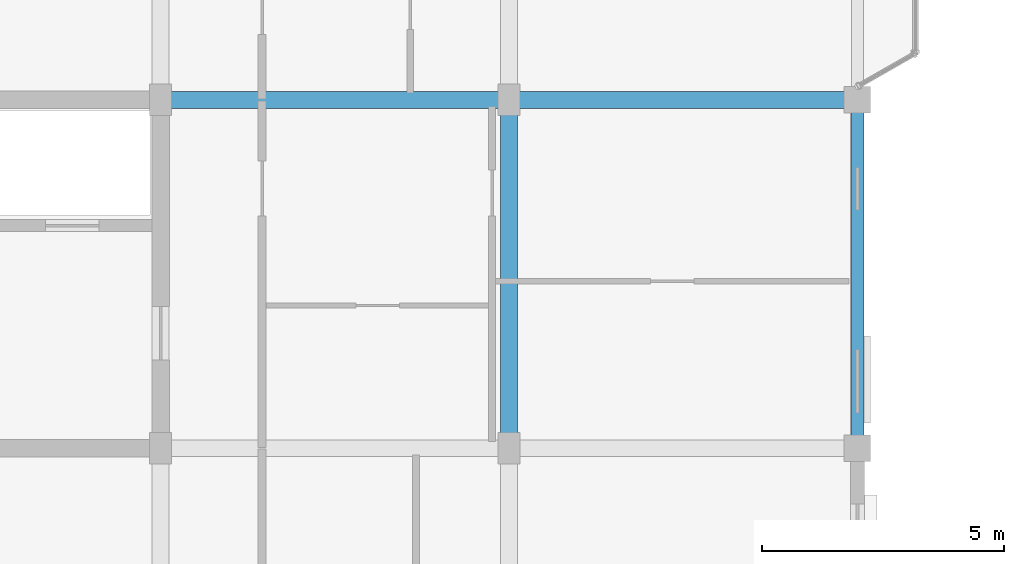
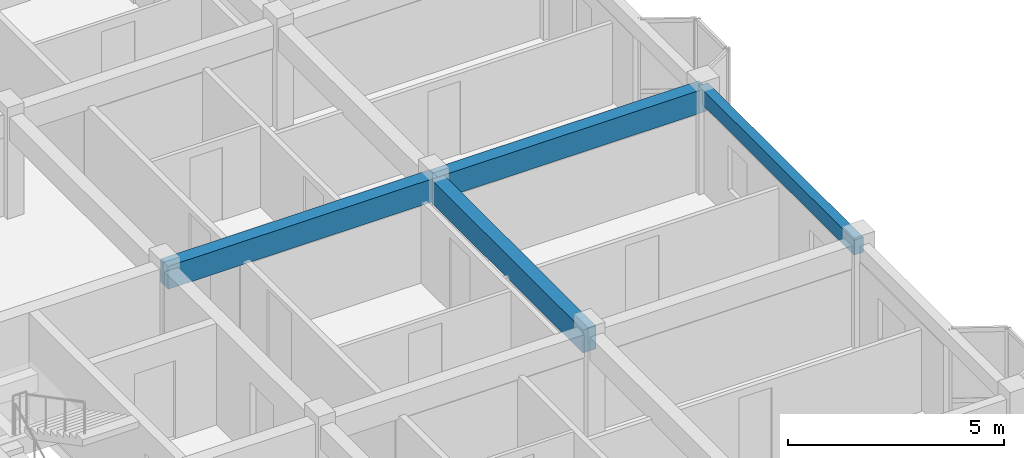
# One storey, part 7 of 77: 4 beams.
"""IFC4 building model written with IfcOpenShell, lengths in metres."""

from ifc_helpers import new_model, si_unit, direction, frame, origin, origin_2d, place, context, subcontext, project, spatial, rectangle, extrude, material, material_profile, profile_set, type_object, element, save


model = new_model("IFC4")

# Units and contexts
model_context = context("Model", 3, precision=1e-05, world=origin(), true_north=direction((0.0, 1.0)))
body_context = subcontext(model_context, "Body", "Model", "MODEL_VIEW")
ifc_project = project(units=[si_unit("LENGTHUNIT", "METRE"), si_unit("AREAUNIT", "SQUARE_METRE"), si_unit("VOLUMEUNIT", "CUBIC_METRE"), si_unit("PLANEANGLEUNIT", "RADIAN"), si_unit("MASSUNIT", "GRAM", prefix="KILO"), si_unit("THERMODYNAMICTEMPERATUREUNIT", "KELVIN"), si_unit("POWERUNIT", "WATT")], contexts=[model_context])

# Site, building, storey
site_placement = place(None, origin())
site = spatial("IfcSite", under=ifc_project, at=site_placement, CompositionType="ELEMENT")
building_placement = place(site_placement, origin())
building = spatial("IfcBuilding", under=site, at=building_placement, Name="Tavuni Mirador Residences", CompositionType="ELEMENT")
storey_placement = place(building_placement, frame((0.0, 0.0, 10.800048828125)))
storey = spatial("IfcBuildingStorey", under=building, at=storey_placement, Name="L03", CompositionType="ELEMENT", Elevation=10.800048828125)

# Beams
ifc_material = material(Name="Precast concrete C40/50", Category="concrete")
ifc_material_profile_1 = material_profile(ifc_material, rectangle(XDim=0.35009765625, YDim=0.64990234375, at=origin_2d()), Name="PC 350x650", Category="concrete")
ifc_profile_set_1 = profile_set([ifc_material_profile_1], Name="Precast concrete C40/50")
beam_type_1 = type_object("IfcBeamType", Name="BT-B650", PredefinedType="BEAM", material=ifc_profile_set_1)
for number, where, z_axis, x_axis, name in (
    (1, (18.0, 21.60009765625, 2.544921875), (1.0, 0.0, 0.0), (0.0, 1.0, 0.0), "BMX-BLK-A-L03-02-02"),
    (2, (25.199951171875, 21.60009765625, 2.544921875), (1.0, 0.0, 0.0), (0.0, 1.0, 0.0), "BMX-BLK-A-L03-03-02"),
):
    element("IfcBeam", number, at=place(storey_placement, frame(where, z_axis=z_axis, x_axis=x_axis)), inside=storey, type_object=beam_type_1, Name=name, PredefinedType="BEAM", context=body_context, shape_type="SweptSolid", body=[
        extrude(rectangle(XDim=0.35009765625, YDim=0.64990234375, at=origin_2d()), origin(), (0.0, 0.0, 1.0), 7.199951171875),
    ])
beam_1_placement = place(storey_placement, frame((25.199951171875, 14.39990234375, 2.544921875), z_axis=(0.0, 1.0, 0.0), x_axis=(-1.0, 0.0, 0.0)))
element("IfcBeam", 3, at=beam_1_placement, inside=storey, type_object=beam_type_1, Name="BMY-BLK-A-L03-03-01", PredefinedType="BEAM", context=body_context, shape_type="SweptSolid", body=[
    extrude(rectangle(XDim=0.35009765625, YDim=0.64990234375, at=origin_2d()), origin(), (0.0, 0.0, 1.0), 7.2001953125),
])
ifc_material_profile_2 = material_profile(ifc_material, rectangle(XDim=0.25, YDim=0.419921875, at=origin_2d()), Name="PC 250x420", Category="concrete")
ifc_profile_set_2 = profile_set([ifc_material_profile_2], Name="Precast concrete C40/50")
beam_type_2 = type_object("IfcBeamType", Name="BT-SP420", PredefinedType="SPANDREL", material=ifc_profile_set_2)
beam_2_placement = place(storey_placement, frame((32.39990234375, 14.39990234375, 2.659912109375), z_axis=(0.0, 1.0, 0.0), x_axis=(-1.0, 0.0, 0.0)))
element("IfcBeam", 4, at=beam_2_placement, inside=storey, type_object=beam_type_2, Name="BMY-BLK-A-L03-04-01", PredefinedType="SPANDREL", context=body_context, shape_type="SweptSolid", body=[
    extrude(rectangle(XDim=0.25, YDim=0.419921875, at=origin_2d()), origin(), (0.0, 0.0, 1.0), 7.2001953125),
])

save(model, "model.ifc")
